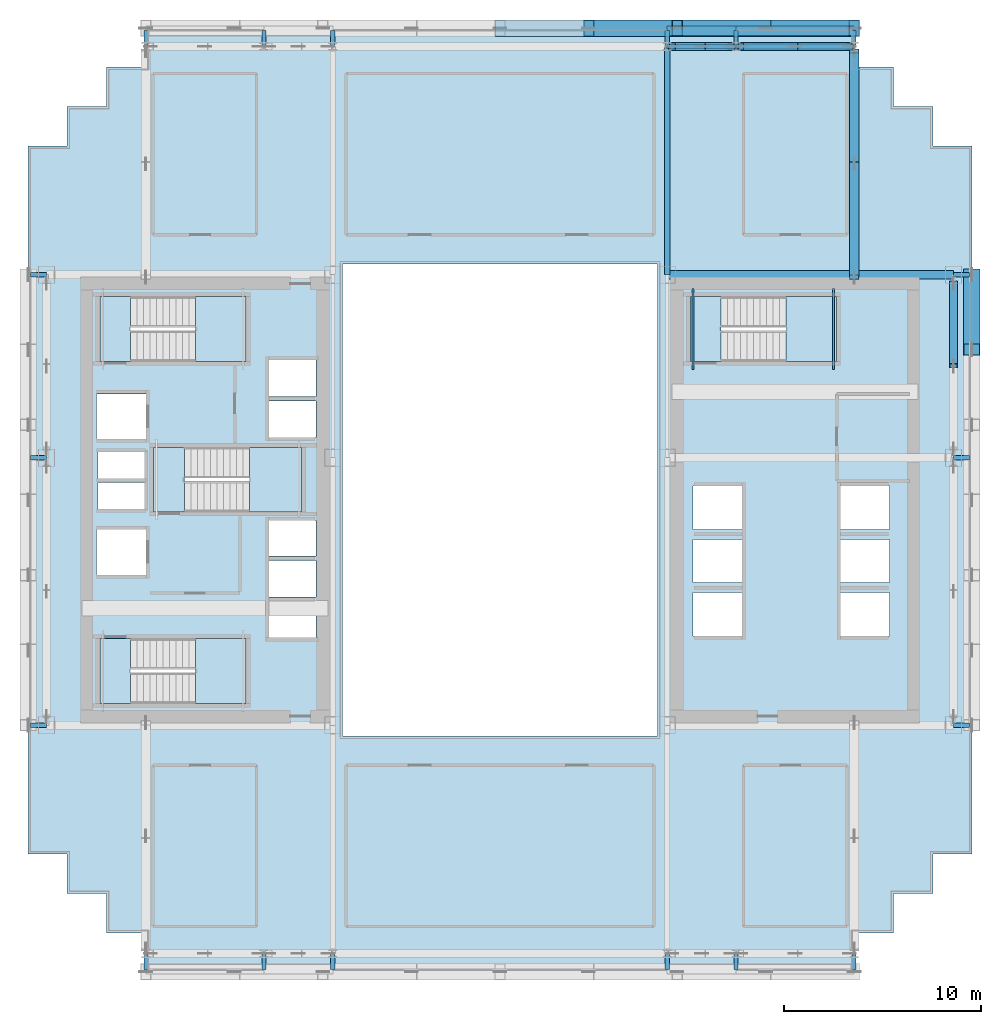
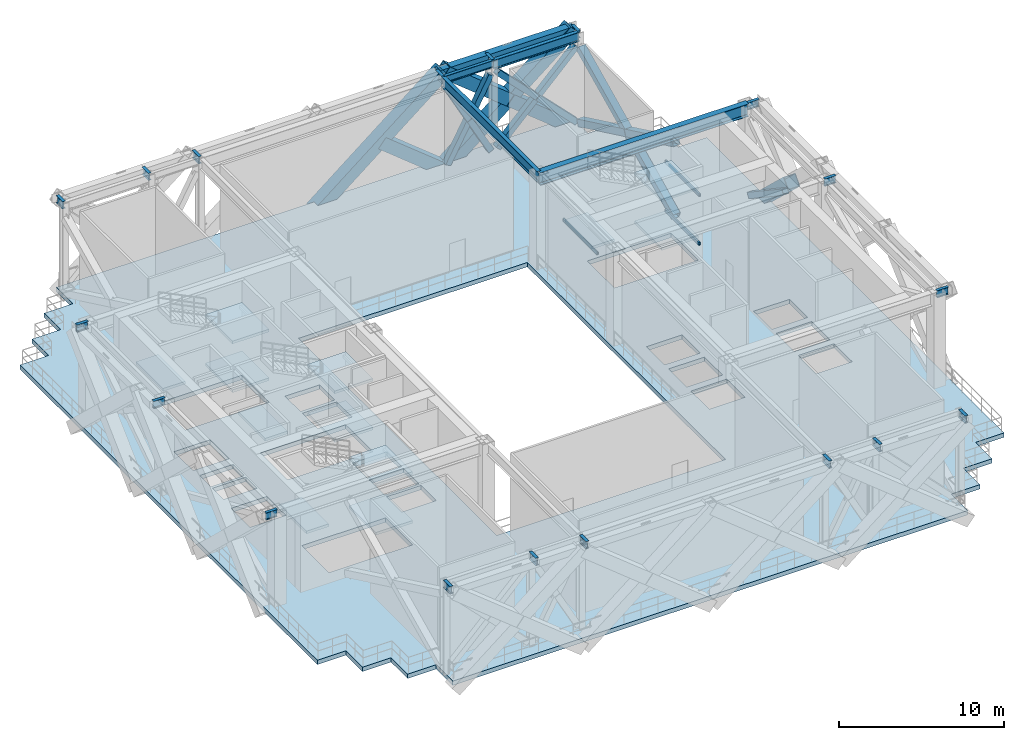
# One storey, part 3 of 14: 27 beams, 16 members, 13 slabs, 4 elements without a shape of their own.
"""IFC4 building model written with IfcOpenShell, lengths in metres."""

import ifcopenshell
import ifcopenshell.guid

model = None  # the IFC model being written
_history = None  # IfcOwnerHistory: only IFC2X3 demands one
_inside = {}  # id of a spatial element -> (the spatial element, [elements in it])
_under = {}  # id of a project, library or spatial element -> (it, [spatial elements below it])
_declared = {}  # id of a project -> (the project, [libraries it declares])
_typed = {}  # id of a type object -> (the type object, [elements of that type])
_made_of = {}  # id of a material, layer set ... -> (it, [elements and type objects made of it])


def new_model(schema):
    """Start an empty IFC model of exactly this schema.

    Asked for "IFC4X3", IfcOpenShell would pick the latest addendum, in which some entities
    have other attributes; the version numbers below select the first issue.
    IFC2X3 requires an IfcOwnerHistory on every rooted entity: one is made here for all.
    """
    global model, _history
    if schema == "IFC4X3":
        model = ifcopenshell.file(schema_version=(4, 3, 0, 0))
    else:
        model = ifcopenshell.file(schema=schema)
    _inside.clear()
    _under.clear()
    _declared.clear()
    _typed.clear()
    _made_of.clear()
    _history = None
    if model.schema == "IFC2X3":
        org = make("IfcOrganization", Name="unknown")
        user = make(
            "IfcPersonAndOrganization",
            ThePerson=make("IfcPerson", FamilyName="unknown"),
            TheOrganization=org,
        )
        app = make(
            "IfcApplication",
            ApplicationDeveloper=org,
            Version="unknown",
            ApplicationFullName="unknown",
            ApplicationIdentifier="unknown",
        )
        _history = make(
            "IfcOwnerHistory",
            OwningUser=user,
            OwningApplication=app,
            ChangeAction="ADDED",
            CreationDate=0,
        )
    return model


def make(cls, **values):
    """One entity of the class cls with the attributes given. An attribute that is None is left unset."""
    return model.create_entity(
        cls, **{name: value for name, value in values.items() if value is not None}
    )


def rooted(cls, **values):
    """An entity with a GlobalId (a new one), such as an element, a storey or a relation."""
    return make(cls, GlobalId=ifcopenshell.guid.new(), OwnerHistory=_history, **values)


def si_unit(unit_type, name, prefix=None):
    """IfcSIUnit, for example si_unit("LENGTHUNIT", "METRE", prefix="MILLI")."""
    return make("IfcSIUnit", UnitType=unit_type, Prefix=prefix, Name=name)


def assignment(units):
    """IfcUnitAssignment: the units of a project."""
    return None if units is None else make("IfcUnitAssignment", Units=units)


def point(xyz):
    """IfcCartesianPoint."""
    return None if xyz is None else make("IfcCartesianPoint", Coordinates=xyz)


def direction(xyz):
    """IfcDirection."""
    return None if xyz is None else make("IfcDirection", DirectionRatios=xyz)


def frame(location, z_axis=None, x_axis=None):
    """IfcAxis2Placement3D, a coordinate frame: its origin and axes. An axis left out is left unset."""
    return make(
        "IfcAxis2Placement3D",
        Location=point(location),
        Axis=direction(z_axis),
        RefDirection=direction(x_axis),
    )


def frame_2d(location, x_axis=None):
    """IfcAxis2Placement2D, a coordinate frame in the plane: its origin and x axis."""
    return make(
        "IfcAxis2Placement2D", Location=point(location), RefDirection=direction(x_axis)
    )


def origin():
    """The frame at (0, 0, 0) with its axes left unset."""
    return frame((0.0, 0.0, 0.0))


def origin_2d():
    """The frame at (0, 0) in the plane with its x axis left unset."""
    return frame_2d((0.0, 0.0))


def place(relative_to, where):
    """IfcLocalPlacement: puts the frame where relative to a parent placement (None: the world)."""
    return make(
        "IfcLocalPlacement", PlacementRelTo=relative_to, RelativePlacement=where
    )


def context(
    kind, dimensions, precision=None, world=None, true_north=None, identifier=None
):
    """IfcGeometricRepresentationContext, for example the 3D "Model" context."""
    return make(
        "IfcGeometricRepresentationContext",
        ContextIdentifier=identifier,
        ContextType=kind,
        CoordinateSpaceDimension=dimensions,
        Precision=precision,
        WorldCoordinateSystem=world,
        TrueNorth=true_north,
    )


def subcontext(parent, identifier, kind, view, scale=None):
    """IfcGeometricRepresentationSubContext, for example "Body" below "Model"."""
    return make(
        "IfcGeometricRepresentationSubContext",
        ContextIdentifier=identifier,
        ContextType=kind,
        ParentContext=parent,
        TargetScale=scale,
        TargetView=view,
    )


def project(units=None, contexts=None):
    """IfcProject with its units and contexts."""
    return rooted(
        "IfcProject",
        Name="project",
        RepresentationContexts=contexts,
        UnitsInContext=assignment(units),
    )


def spatial(cls, under=None, at=None, **own):
    """A site, building, storey or space (cls), placed at a placement, below another one or the project."""
    s = rooted(cls, ObjectPlacement=at, **own)
    if under is not None:
        _under.setdefault(under.id(), (under, []))[1].append(s)
    return s


def polyline(points):
    """IfcPolyline through the points."""
    return make("IfcPolyline", Points=[point(p) for p in points])


def profile(cls, at=None, kind="AREA", **sizes):
    """A parametric profile (cls). Its sizes go by their IFC names, for example OverallWidth=200.0."""
    return make(cls, ProfileType=kind, Position=at, **sizes)


def hollow_rectangle(**sizes):
    """IfcRectangleHollowProfileDef."""
    return profile("IfcRectangleHollowProfileDef", **sizes)


def i_section(**sizes):
    """IfcIShapeProfileDef."""
    return profile("IfcIShapeProfileDef", **sizes)


def outline(outer, holes=None, kind="AREA"):
    """IfcArbitraryClosedProfileDef: a profile drawn as a closed curve; with holes, ...WithVoids."""
    if holes is None:
        return make("IfcArbitraryClosedProfileDef", ProfileType=kind, OuterCurve=outer)
    return make(
        "IfcArbitraryProfileDefWithVoids",
        ProfileType=kind,
        OuterCurve=outer,
        InnerCurves=holes,
    )


def extrude(swept, where, along, depth):
    """IfcExtrudedAreaSolid: the profile swept, set in the frame where, extruded along a direction by depth."""
    return make(
        "IfcExtrudedAreaSolid",
        SweptArea=swept,
        Position=where,
        ExtrudedDirection=direction(along),
        Depth=depth,
    )


def shape(context_of_items, identifier, shape_type, items):
    """IfcShapeRepresentation: the items that make up one representation, for example the "Body"."""
    return make(
        "IfcShapeRepresentation",
        ContextOfItems=context_of_items,
        RepresentationIdentifier=identifier,
        RepresentationType=shape_type,
        Items=items,
    )


def source(mapping_origin, context_of_items, identifier, shape_type, items):
    """IfcRepresentationMap: a shape defined once, which mapped items show again and again."""
    return make(
        "IfcRepresentationMap",
        MappingOrigin=mapping_origin,
        MappedRepresentation=shape(context_of_items, identifier, shape_type, items),
    )


def transform(
    local_origin,
    x_axis=None,
    y_axis=None,
    z_axis=None,
    scale=None,
    scale2=None,
    scale3=None,
    uniform=True,
):
    """IfcCartesianTransformationOperator3D, or its non-uniform kind. x_axis, y_axis, z_axis: its Axis1, 2, 3."""
    if uniform:
        return make(
            "IfcCartesianTransformationOperator3D",
            Axis1=direction(x_axis),
            Axis2=direction(y_axis),
            LocalOrigin=point(local_origin),
            Scale=scale,
            Axis3=direction(z_axis),
        )
    return make(
        "IfcCartesianTransformationOperator3DnonUniform",
        Axis1=direction(x_axis),
        Axis2=direction(y_axis),
        LocalOrigin=point(local_origin),
        Scale=scale,
        Axis3=direction(z_axis),
        Scale2=scale2,
        Scale3=scale3,
    )


def mapped(mapping_source, mapping_target):
    """IfcMappedItem: shows the shape of a source again, moved by a transform."""
    return make(
        "IfcMappedItem", MappingSource=mapping_source, MappingTarget=mapping_target
    )


def material(Name=None, Category=None):
    """IfcMaterial."""
    return make("IfcMaterial", Name=Name, Category=Category)


def layer(
    of_material, thickness, ventilated=None, Name=None, Category=None, Priority=None
):
    """IfcMaterialLayer: one layer of a wall or slab, of a material (None: an air gap)."""
    return make(
        "IfcMaterialLayer",
        Material=of_material,
        LayerThickness=thickness,
        IsVentilated=ventilated,
        Name=Name,
        Category=Category,
        Priority=Priority,
    )


def layer_set(layers, Name=None):
    """IfcMaterialLayerSet."""
    return make("IfcMaterialLayerSet", MaterialLayers=layers, LayerSetName=Name)


def material_profile(
    of_material, cross_section, Name=None, Category=None, Priority=None
):
    """IfcMaterialProfile: a cross section and its material."""
    return make(
        "IfcMaterialProfile",
        Name=Name,
        Material=of_material,
        Profile=cross_section,
        Priority=Priority,
        Category=Category,
    )


def profile_set(profiles, Name=None, composite=None):
    """IfcMaterialProfileSet."""
    return make(
        "IfcMaterialProfileSet",
        Name=Name,
        MaterialProfiles=profiles,
        CompositeProfile=composite,
    )


def made_of(thing, what):
    """Note that an element or type object is made of a material, layer set ...; save() writes the relation."""
    if what is not None:
        _made_of.setdefault(what.id(), (what, []))[1].append(thing)
    return thing


def type_object(cls, material=None, **own):
    """A type object (cls), such as IfcWallType, which elements share."""
    return made_of(rooted(cls, **own), material)


def element(
    cls,
    number,
    at=None,
    inside=None,
    cuts=None,
    type_object=None,
    material=None,
    context=None,
    identifier="Body",
    shape_type=None,
    held_by="IfcProductDefinitionShape",
    body=None,
    shapes=None,
    **own,
):
    """One element of the class cls, such as IfcWall. Its Tag is "e" and its number.

    at: its placement. inside: the storey or other place that contains it. cuts: it is an
    opening in that element (IfcRelVoidsElement). A single representation is given by context,
    identifier, shape_type and body (its items); several are given by shapes. held_by: the class
    of the entity that holds the representations. save() writes the other relations.
    """
    e = rooted(cls, Tag="e%d" % number, ObjectPlacement=at, **own)
    if body is not None:
        shapes = [shape(context, identifier, shape_type, body)]
    if shapes is not None:
        e.Representation = make(held_by, Representations=shapes)
    if inside is not None:
        _inside.setdefault(inside.id(), (inside, []))[1].append(e)
    if cuts is not None:
        rooted(
            "IfcRelVoidsElement", RelatingBuildingElement=cuts, RelatedOpeningElement=e
        )
    if type_object is not None:
        _typed.setdefault(type_object.id(), (type_object, []))[1].append(e)
    return made_of(e, material)


def aggregate(whole, parts):
    """IfcRelAggregates: a whole, such as a stair, and the parts it consists of."""
    return rooted("IfcRelAggregates", RelatingObject=whole, RelatedObjects=parts)


def save(model, path):
    """Write the relations noted so far, then the file.

    IfcRelAggregates (storeys below a building ...), IfcRelContainedInSpatialStructure (elements
    in a storey), IfcRelDefinesByType, IfcRelAssociatesMaterial and IfcRelDeclares: one each for
    every whole, place, type object, material and project.
    """
    for whole, parts in _under.values():
        aggregate(whole, parts)
    for where, things in _inside.values():
        rooted(
            "IfcRelContainedInSpatialStructure",
            RelatedElements=things,
            RelatingStructure=where,
        )
    for kind, things in _typed.values():
        rooted("IfcRelDefinesByType", RelatedObjects=things, RelatingType=kind)
    for what, things in _made_of.values():
        rooted("IfcRelAssociatesMaterial", RelatedObjects=things, RelatingMaterial=what)
    for by, libraries in _declared.values():
        rooted("IfcRelDeclares", RelatingContext=by, RelatedDefinitions=libraries)
    model.write(path)


model = new_model("IFC4")

# Units and contexts
model_context = context("Model", 3, precision=1e-05, world=origin(), true_north=direction((0.0, 1.0)))
body_context = subcontext(model_context, "Body", "Model", "MODEL_VIEW")
ifc_project = project(units=[si_unit("LENGTHUNIT", "METRE"), si_unit("AREAUNIT", "SQUARE_METRE"), si_unit("VOLUMEUNIT", "CUBIC_METRE"), si_unit("PLANEANGLEUNIT", "RADIAN"), si_unit("MASSUNIT", "GRAM", prefix="KILO")], contexts=[model_context])

# Site, building, storey
site_placement = place(None, origin())
site = spatial("IfcSite", under=ifc_project, at=site_placement, CompositionType="ELEMENT")
building_placement = place(site_placement, origin())
building = spatial("IfcBuilding", under=site, at=building_placement, Name="Ocotamira Hotel", CompositionType="ELEMENT")
storey_placement = place(building_placement, frame((0.0, 0.0, 85.199951171875)))
storey = spatial("IfcBuildingStorey", under=building, at=storey_placement, Name="L21", CompositionType="ELEMENT", Elevation=85.199951171875)

# Beams
ifc_material_1 = material(Name="Steel ASTM A500 Grade C", Category="steel")
ifc_material_profile_1 = material_profile(ifc_material_1, hollow_rectangle(XDim=0.10009765625, YDim=0.199951171875, WallThickness=0.008056640625, at=origin_2d()), Name="HSS200X100X8")
ifc_profile_set_1 = profile_set([ifc_material_profile_1], Name="Steel ASTM A500 Grade C")
beam_type_1 = type_object("IfcBeamType", Name="BM-STLDG-HSS200", PredefinedType="BEAM", material=ifc_profile_set_1)
shared_shape_1 = source(origin(), body_context, "Body", "SweptSolid", [
    extrude(hollow_rectangle(XDim=0.10009765625, YDim=0.199951171875, WallThickness=0.008056640625, at=origin_2d()), origin(), (0.0, 0.0, 1.0), 4.1201171875),
])
for number, where, z_axis, x_axis, name in (
    (1, (48.949951171875, 32.6298828125, 1.5), (0.0, 1.0, 0.0), (-1.0, 0.0, 0.0), "L21 Stair ST-4 Landing Bearer 1"),
    (2, (41.81005859375, 32.6298828125, 3.300048828125), (0.0, 1.0, 0.0), (-1.0, 0.0, 0.0), "L21 Stair ST-4 Landing Bearer 2"),
    (3, (48.949951171875, 32.6298828125, 5.10009765625), (0.0, 1.0, 0.0), (-1.0, 0.0, 0.0), "L21 Stair ST-4 Landing Bearer 3"),
):
    element("IfcBeam", number, at=place(storey_placement, frame(where, z_axis=z_axis, x_axis=x_axis)), inside=storey, type_object=beam_type_1, Name=name, PredefinedType="BEAM", context=body_context, shape_type="MappedRepresentation", body=[
        mapped(shared_shape_1, transform((0.0, 0.0, 0.0), scale=1.0)),
    ])
ifc_material_2 = material(Name="Steel ASTM A992 Grade 50", Category="steel")
ifc_material_profile_2 = material_profile(ifc_material_2, i_section(OverallWidth=0.41796875, OverallDepth=0.927001953125, WebThickness=0.019287109375, FlangeThickness=0.031982421875, FilletRadius=0.02392578125, at=origin_2d()), Name="W36X231")
ifc_profile_set_2 = profile_set([ifc_material_profile_2], Name="Steel ASTM A992 Grade 50")
beam_type_2 = type_object("IfcBeamType", Name="BM-GIRD-W36X231", PredefinedType="BEAM", material=ifc_profile_set_2)
shared_shape_2 = source(origin(), body_context, "Body", "SweptSolid", [
    extrude(i_section(OverallWidth=0.41796875, OverallDepth=0.927001953125, WebThickness=0.019287109375, FlangeThickness=0.031982421875, FilletRadius=0.02392578125, at=origin_2d()), origin(), (0.0, 0.0, 1.0), 14.550048828125),
])
beam_1_placement = place(storey_placement, frame((40.5, 37.449951171875, 6.45654296875), z_axis=(1.0, 0.0, 0.0), x_axis=(0.0, 1.0, 0.0)))
element("IfcBeam", 4, at=beam_1_placement, inside=storey, type_object=beam_type_2, Name="L21 Girder Y37.45 X40.5-55.05", PredefinedType="BEAM", context=body_context, shape_type="MappedRepresentation", body=[
    mapped(shared_shape_2, transform((0.0, 0.0, 0.0), scale=1.0)),
])
ifc_material_profile_3 = material_profile(ifc_material_2, i_section(OverallWidth=0.256103515625, OverallDepth=0.693115234375, WebThickness=0.014404296875, FlangeThickness=0.023681640625, FilletRadius=0.01611328125, at=origin_2d()), Name="W27X114")
ifc_profile_set_3 = profile_set([ifc_material_profile_3], Name="Steel ASTM A992 Grade 50")
beam_type_3 = type_object("IfcBeamType", Name="BM-PRIM-W27X114", PredefinedType="BEAM", material=ifc_profile_set_3)
shared_shape_3 = source(origin(), body_context, "Body", "SweptSolid", [
    extrude(i_section(OverallWidth=0.256103515625, OverallDepth=0.693115234375, WebThickness=0.014404296875, FlangeThickness=0.023681640625, FilletRadius=0.01611328125, at=origin_2d()), origin(), (0.0, 0.0, 1.0), 6.0),
])
beam_2_placement = place(storey_placement, frame((44.0, 49.050048828125, 6.573486328125), z_axis=(1.0, 0.0, 0.0), x_axis=(0.0, 1.0, 0.0)))
element("IfcBeam", 5, at=beam_2_placement, inside=storey, type_object=beam_type_3, Name="L21 Girder Y49.05 X44-50", PredefinedType="BEAM", context=body_context, shape_type="MappedRepresentation", body=[
    mapped(shared_shape_3, transform((0.0, 0.0, 0.0), scale=1.0)),
])
ifc_material_profile_4 = material_profile(ifc_material_2, i_section(OverallWidth=0.2099609375, OverallDepth=0.537109375, WebThickness=0.010986328125, FlangeThickness=0.017333984375, FilletRadius=0.012939453125, at=origin_2d()), Name="W21X68")
ifc_profile_set_4 = profile_set([ifc_material_profile_4], Name="Steel ASTM A992 Grade 50")
beam_type_4 = type_object("IfcBeamType", Name="BM-SEC-W21X68", PredefinedType="JOIST", material=ifc_profile_set_4)
shared_shape_4 = source(origin(), body_context, "Body", "SweptSolid", [
    extrude(i_section(OverallWidth=0.2099609375, OverallDepth=0.537109375, WebThickness=0.010986328125, FlangeThickness=0.017333984375, FilletRadius=0.012939453125, at=origin_2d()), origin(), (0.0, 0.0, 1.0), 3.5),
])
beam_3_placement = place(storey_placement, frame((40.5, 49.050048828125, 6.651611328125), z_axis=(1.0, 0.0, 0.0), x_axis=(0.0, 1.0, 0.0)))
element("IfcBeam", 6, at=beam_3_placement, inside=storey, type_object=beam_type_4, Name="L21 Girder Y49.05 X40.5-44", PredefinedType="JOIST", context=body_context, shape_type="MappedRepresentation", body=[
    mapped(shared_shape_4, transform((0.0, 0.0, 0.0), scale=1.0)),
])
ifc_material_profile_5 = material_profile(ifc_material_2, i_section(OverallWidth=0.26611328125, OverallDepth=0.779052734375, WebThickness=0.0166015625, FlangeThickness=0.030029296875, FilletRadius=0.01806640625, at=origin_2d()), Name="W30X148")
ifc_profile_set_5 = profile_set([ifc_material_profile_5], Name="Steel ASTM A992 Grade 50")
beam_type_5 = type_object("IfcBeamType", Name="BM-GIRD-W30X148", PredefinedType="BEAM", material=ifc_profile_set_5)
shared_shape_5 = source(origin(), body_context, "Body", "SweptSolid", [
    extrude(i_section(OverallWidth=0.26611328125, OverallDepth=0.779052734375, WebThickness=0.0166015625, FlangeThickness=0.030029296875, FilletRadius=0.01806640625, at=origin_2d()), origin(), (0.0, 0.0, 1.0), 11.60009765625),
])
beam_4_placement = place(storey_placement, frame((40.5, 37.449951171875, 6.530517578125), z_axis=(0.0, 1.0, 0.0), x_axis=(-1.0, 0.0, 0.0)))
element("IfcBeam", 7, at=beam_4_placement, inside=storey, type_object=beam_type_5, Name="L21 Beam X40.5 Y37.45-49.05", PredefinedType="BEAM", context=body_context, shape_type="MappedRepresentation", body=[
    mapped(shared_shape_5, transform((0.0, 0.0, 0.0), scale=1.0)),
])
shared_shape_6 = source(origin(), body_context, "Body", "SweptSolid", [
    extrude(i_section(OverallWidth=0.2099609375, OverallDepth=0.537109375, WebThickness=0.010986328125, FlangeThickness=0.017333984375, FilletRadius=0.012939453125, at=origin_2d()), origin(), (0.0, 0.0, 1.0), 0.800048828125),
])
for number, where, z_axis, x_axis, name in (
    (8, (14.0, 2.949951171875, 6.651611328125), (0.0, -1.0, 0.0), (1.0, 0.0, 0.0), "L21 South Edge Header X14"),
    (9, (14.0, 49.050048828125, 6.651611328125), (0.0, 1.0, 0.0), (-1.0, 0.0, 0.0), "L21 North Edge Header X14"),
    (10, (20.0, 2.949951171875, 6.651611328125), (0.0, -1.0, 0.0), (1.0, 0.0, 0.0), "L21 South Edge Header X20"),
    (11, (20.0, 49.050048828125, 6.651611328125), (0.0, 1.0, 0.0), (-1.0, 0.0, 0.0), "L21 North Edge Header X20"),
    (12, (23.5, 2.949951171875, 6.651611328125), (0.0, -1.0, 0.0), (1.0, 0.0, 0.0), "L21 South Edge Header X23.5"),
    (13, (23.5, 49.050048828125, 6.651611328125), (0.0, 1.0, 0.0), (-1.0, 0.0, 0.0), "L21 North Edge Header X23.5"),
    (14, (40.5, 2.949951171875, 6.651611328125), (0.0, -1.0, 0.0), (1.0, 0.0, 0.0), "L21 South Edge Header X40.5"),
    (15, (40.5, 49.050048828125, 6.651611328125), (0.0, 1.0, 0.0), (-1.0, 0.0, 0.0), "L21 North Edge Header X40.5"),
    (16, (44.0, 2.949951171875, 6.651611328125), (0.0, -1.0, 0.0), (1.0, 0.0, 0.0), "L21 South Edge Header X44"),
    (17, (44.0, 49.050048828125, 6.651611328125), (0.0, 1.0, 0.0), (-1.0, 0.0, 0.0), "L21 North Edge Header X44"),
    (18, (50.0, 2.949951171875, 6.651611328125), (0.0, -1.0, 0.0), (1.0, 0.0, 0.0), "L21 South Edge Header X50"),
    (19, (50.0, 49.050048828125, 6.651611328125), (0.0, 1.0, 0.0), (-1.0, 0.0, 0.0), "L21 North Edge Header X50"),
    (20, (8.949951171875, 14.550048828125, 6.651611328125), (-1.0, 0.0, 0.0), (0.0, -1.0, 0.0), "L21 West Edge Header Y14.55"),
    (21, (55.050048828125, 14.550048828125, 6.651611328125), (1.0, 0.0, 0.0), (0.0, 1.0, 0.0), "L21 East Edge Header Y14.55"),
    (22, (8.949951171875, 28.14990234375, 6.651611328125), (-1.0, 0.0, 0.0), (0.0, -1.0, 0.0), "L21 West Edge Header Y28.15"),
    (23, (55.050048828125, 28.14990234375, 6.651611328125), (1.0, 0.0, 0.0), (0.0, 1.0, 0.0), "L21 East Edge Header Y28.15"),
    (24, (8.949951171875, 37.449951171875, 6.651611328125), (-1.0, 0.0, 0.0), (0.0, -1.0, 0.0), "L21 West Edge Header Y37.45"),
    (25, (55.050048828125, 37.449951171875, 6.651611328125), (1.0, 0.0, 0.0), (0.0, 1.0, 0.0), "L21 East Edge Header Y37.45"),
):
    element("IfcBeam", number, at=place(storey_placement, frame(where, z_axis=z_axis, x_axis=x_axis)), inside=storey, type_object=beam_type_4, Name=name, PredefinedType="JOIST", context=body_context, shape_type="MappedRepresentation", body=[
        mapped(shared_shape_6, transform((0.0, 0.0, 0.0), scale=1.0)),
    ])
ifc_material_profile_6 = material_profile(ifc_material_1, hollow_rectangle(XDim=0.5, YDim=0.5, WallThickness=0.02001953125, at=origin_2d()), Name="HSS500X500X20")
ifc_profile_set_6 = profile_set([ifc_material_profile_6], Name="Steel ASTM A500 Grade C")
beam_type_6 = type_object("IfcBeamType", Name="BM-SPAN-HSS500", PredefinedType="USERDEFINED", material=ifc_profile_set_6)
shared_shape_7 = source(origin(), body_context, "Body", "SweptSolid", [
    extrude(hollow_rectangle(XDim=0.5, YDim=0.5, WallThickness=0.02001953125, at=origin_2d()), origin(), (0.0, 0.0, 1.0), 6.0),
])
beam_5_placement = place(storey_placement, frame((44.0, 49.85009765625, 6.670166015625), z_axis=(1.0, 0.0, 0.0), x_axis=(0.0, 1.0, 0.0)))
element("IfcBeam", 26, at=beam_5_placement, inside=storey, type_object=beam_type_6, Name="L21 Edge Spandrel N X44-50", ObjectType="SPANDREL", PredefinedType="USERDEFINED", context=body_context, shape_type="MappedRepresentation", body=[
    mapped(shared_shape_7, transform((0.0, 0.0, 0.0), scale=1.0)),
])
shared_shape_8 = source(origin(), body_context, "Body", "SweptSolid", [
    extrude(hollow_rectangle(XDim=0.5, YDim=0.5, WallThickness=0.02001953125, at=origin_2d()), origin(), (0.0, 0.0, 1.0), 3.5),
])
beam_6_placement = place(storey_placement, frame((40.5, 49.85009765625, 6.670166015625), z_axis=(1.0, 0.0, 0.0), x_axis=(0.0, 1.0, 0.0)))
element("IfcBeam", 27, at=beam_6_placement, inside=storey, type_object=beam_type_6, Name="L21 Edge Spandrel N X40.5-44", ObjectType="SPANDREL", PredefinedType="USERDEFINED", context=body_context, shape_type="MappedRepresentation", body=[
    mapped(shared_shape_8, transform((0.0, 0.0, 0.0), scale=1.0)),
])

# Members
ifc_material_3 = material(Name="Steel ASTM A913 Grade 65", Category="steel")
ifc_material_profile_7 = material_profile(ifc_material_3, hollow_rectangle(XDim=0.5, YDim=0.5, WallThickness=0.02001953125, at=origin_2d()), Name="HSS500X500X20")
ifc_profile_set_7 = profile_set([ifc_material_profile_7], Name="Steel ASTM A913 Grade 65")
member_type_1 = type_object("IfcMemberType", Name="MEM-OUT-HSS500", PredefinedType="BRACE", material=ifc_profile_set_7)
shared_shape_9 = source(origin(), body_context, "Body", "SweptSolid", [
    extrude(hollow_rectangle(XDim=0.5, YDim=0.5, WallThickness=0.02001953125, at=origin_2d()), origin(), (0.0, 0.0, 1.0), 12.73876953125),
])
member_1_placement = place(storey_placement, frame((50.0, 37.324951171875, 0.35009765625), z_axis=(0.0, 0.902368580511, 0.430965131891), x_axis=(-1.0, 0.0, 0.0)))
element("IfcMember", 28, at=member_1_placement, inside=storey, type_object=member_type_1, Name="L21 Outrigger Truss N X50 A", PredefinedType="BRACE", context=body_context, shape_type="MappedRepresentation", body=[
    mapped(shared_shape_9, transform((0.0, 0.0, 0.0), scale=1.0)),
])
shared_shape_10 = source(origin(), body_context, "Body", "SweptSolid", [
    extrude(hollow_rectangle(XDim=0.5, YDim=0.5, WallThickness=0.02001953125, at=origin_2d()), origin(), (0.0, 0.0, 1.0), 6.349365234375),
])
for number, where, z_axis, x_axis, name in (
    (29, (50.0, 37.324951171875, 5.840087890625), (0.0, 0.90237094461, -0.43096018183), (-1.0, 0.0, 0.0), "L21 Outrigger Truss N X50 B Lower Half"),
    (30, (50.0, 43.090576171875, 3.08642578125), (0.0, 0.90237094461, -0.43096018183), (-1.0, 0.0, 0.0), "L21 Outrigger Truss N X50 B Upper Half"),
):
    element("IfcMember", number, at=place(storey_placement, frame(where, z_axis=z_axis, x_axis=x_axis)), inside=storey, type_object=member_type_1, Name=name, PredefinedType="BRACE", context=body_context, shape_type="MappedRepresentation", body=[
        mapped(shared_shape_10, transform((0.0, 0.0, 0.0), scale=1.0)),
    ])
ifc_material_profile_8 = material_profile(ifc_material_3, hollow_rectangle(XDim=0.39990234375, YDim=0.39990234375, WallThickness=0.01611328125, at=origin_2d()), Name="HSS400X400X16")
ifc_profile_set_8 = profile_set([ifc_material_profile_8], Name="Steel ASTM A913 Grade 65")
member_type_2 = type_object("IfcMemberType", Name="MEM-BELT-HSS400", PredefinedType="BRACE", material=ifc_profile_set_8)
shared_shape_11 = source(origin(), body_context, "Body", "SweptSolid", [
    extrude(hollow_rectangle(XDim=0.39990234375, YDim=0.39990234375, WallThickness=0.01611328125, at=origin_2d()), origin(), (0.0, 0.0, 1.0), 7.870361328125),
])
member_2_placement = place(storey_placement, frame((44.239990234375, 49.050048828125, 0.35009765625), z_axis=(0.701375952143, 0.0, 0.712791535973), x_axis=(0.0, 1.0, 0.0)))
element("IfcMember", 31, at=member_2_placement, inside=storey, type_object=member_type_2, Name="L21 Belt Truss Diagonal 44,49.05 A", PredefinedType="BRACE", context=body_context, shape_type="MappedRepresentation", body=[
    mapped(shared_shape_11, transform((0.0, 0.0, 0.0), scale=1.0)),
])
shared_shape_12 = source(origin(), body_context, "Body", "SweptSolid", [
    extrude(hollow_rectangle(XDim=0.39990234375, YDim=0.39990234375, WallThickness=0.01611328125, at=origin_2d()), origin(), (0.0, 0.0, 1.0), 3.915283203125),
])
for number, where, z_axis, x_axis, name in (
    (32, (44.239990234375, 49.050048828125, 5.9599609375), (0.70137820504, 0.0, -0.712789319151), (0.0, 1.0, 0.0), "L21 Belt Truss Diagonal 44,49.05 B Lower Half"),
    (33, (47.013916015625, 49.050048828125, 3.140869140625), (0.70137820504, 0.0, -0.712789319151), (0.0, 1.0, 0.0), "L21 Belt Truss Diagonal 44,49.05 B Upper Half"),
):
    element("IfcMember", number, at=place(storey_placement, frame(where, z_axis=z_axis, x_axis=x_axis)), inside=storey, type_object=member_type_2, Name=name, PredefinedType="BRACE", context=body_context, shape_type="MappedRepresentation", body=[
        mapped(shared_shape_12, transform((0.0, 0.0, 0.0), scale=1.0)),
    ])
shared_shape_13 = source(origin(), body_context, "Body", "SweptSolid", [
    extrude(hollow_rectangle(XDim=0.39990234375, YDim=0.39990234375, WallThickness=0.01611328125, at=origin_2d()), origin(), (0.0, 0.0, 1.0), 6.37109375),
])
member_3_placement = place(storey_placement, frame((40.739990234375, 49.050048828125, 0.35009765625), z_axis=(0.474017556158, 0.0, 0.880515392514), x_axis=(0.0, 1.0, 0.0)))
element("IfcMember", 34, at=member_3_placement, inside=storey, type_object=member_type_2, Name="L21 Belt Truss Diagonal 40.5,49.05 A", PredefinedType="BRACE", context=body_context, shape_type="MappedRepresentation", body=[
    mapped(shared_shape_13, transform((0.0, 0.0, 0.0), scale=1.0)),
])
shared_shape_14 = source(origin(), body_context, "Body", "SweptSolid", [
    extrude(hollow_rectangle(XDim=0.39990234375, YDim=0.39990234375, WallThickness=0.01611328125, at=origin_2d()), origin(), (0.0, 0.0, 1.0), 3.16552734375),
])
for number, where, z_axis, x_axis, name in (
    (35, (40.739990234375, 49.050048828125, 5.9599609375), (0.474003238469, 0.0, -0.880523100163), (0.0, 1.0, 0.0), "L21 Belt Truss Diagonal 40.5,49.05 B Lower Half"),
    (36, (42.259521484375, 49.050048828125, 3.137451171875), (0.474003238469, 0.0, -0.880523100163), (0.0, 1.0, 0.0), "L21 Belt Truss Diagonal 40.5,49.05 B Upper Half"),
):
    element("IfcMember", number, at=place(storey_placement, frame(where, z_axis=z_axis, x_axis=x_axis)), inside=storey, type_object=member_type_2, Name=name, PredefinedType="BRACE", context=body_context, shape_type="MappedRepresentation", body=[
        mapped(shared_shape_14, transform((0.0, 0.0, 0.0), scale=1.0)),
    ])
shared_shape_15 = source(origin(), body_context, "Body", "SweptSolid", [
    extrude(hollow_rectangle(XDim=0.39990234375, YDim=0.39990234375, WallThickness=0.01611328125, at=origin_2d()), origin(), (0.0, 0.0, 1.0), 5.038818359375),
])
member_4_placement = place(storey_placement, frame((55.050048828125, 32.816650390625, 3.14404296875), z_axis=(0.0, 0.832199345178, -0.554476554857), x_axis=(-1.0, 0.0, 0.0)))
element("IfcMember", 37, at=member_4_placement, inside=storey, type_object=member_type_2, Name="L21 Belt Truss Diagonal 55.05,28.15 B Upper Half", PredefinedType="BRACE", context=body_context, shape_type="MappedRepresentation", body=[
    mapped(shared_shape_15, transform((0.0, 0.0, 0.0), scale=1.0)),
])
ifc_material_4 = material(Name="Pale-metal coated steel ASTM A913 Grade 65", Category="steel")
ifc_material_profile_9 = material_profile(ifc_material_4, hollow_rectangle(XDim=0.85009765625, YDim=0.85009765625, WallThickness=0.035888671875, at=origin_2d()), Name="BOX850X850X36")
ifc_profile_set_9 = profile_set([ifc_material_profile_9], Name="Pale-metal coated steel ASTM A913 Grade 65")
member_type_3 = type_object("IfcMemberType", Name="MEM-EXO-BOX850", PredefinedType="BRACE", material=ifc_profile_set_9)
shared_shape_16 = source(origin(), body_context, "Body", "SweptSolid", [
    extrude(hollow_rectangle(XDim=0.85009765625, YDim=0.85009765625, WallThickness=0.035888671875, at=origin_2d()), origin(), (0.0, 0.0, 1.0), 11.55078125),
])
for number, where, z_axis, x_axis, name in (
    (38, (32.0, 49.969970703125, -0.570068359375), (0.779166772516, 0.0, 0.626816672247), (0.0, 1.0, 0.0), "L21 Exoskeleton Diagrid N2.1"),
    (39, (41.0, 49.969970703125, -0.570068359375), (0.779166772516, 0.0, 0.626816672247), (0.0, 1.0, 0.0), "L21 Exoskeleton Diagrid N3.1"),
):
    element("IfcMember", number, at=place(storey_placement, frame(where, z_axis=z_axis, x_axis=x_axis)), inside=storey, type_object=member_type_3, Name=name, PredefinedType="BRACE", context=body_context, shape_type="MappedRepresentation", body=[
        mapped(shared_shape_16, transform((0.0, 0.0, 0.0), scale=1.0)),
    ])
shared_shape_17 = source(origin(), body_context, "Body", "SweptSolid", [
    extrude(hollow_rectangle(XDim=0.85009765625, YDim=0.85009765625, WallThickness=0.035888671875, at=origin_2d()), origin(), (0.0, 0.0, 1.0), 5.75537109375),
])
for number, where, z_axis, x_axis, name in (
    (40, (41.0, 49.969970703125, -0.570068359375), (-0.779156701488, 0.0, 0.626829190869), (0.0, -1.0, 0.0), "L21 Exoskeleton Diagrid N2.2 Lower Half"),
    (41, (50.0, 49.969970703125, -0.570068359375), (-0.779156701488, 0.0, 0.626829190869), (0.0, -1.0, 0.0), "L21 Exoskeleton Diagrid N3.2 Lower Half"),
    (42, (45.484375, 49.969970703125, 3.0625), (-0.779156701488, 0.0, 0.626829190869), (0.0, -1.0, 0.0), "L21 Exoskeleton Diagrid N3.2 Upper Half"),
):
    element("IfcMember", number, at=place(storey_placement, frame(where, z_axis=z_axis, x_axis=x_axis)), inside=storey, type_object=member_type_3, Name=name, PredefinedType="BRACE", context=body_context, shape_type="MappedRepresentation", body=[
        mapped(shared_shape_17, transform((0.0, 0.0, 0.0), scale=1.0)),
    ])
shared_shape_18 = source(origin(), body_context, "Body", "SweptSolid", [
    extrude(hollow_rectangle(XDim=0.85009765625, YDim=0.85009765625, WallThickness=0.035888671875, at=origin_2d()), origin(), (0.0, 0.0, 1.0), 5.240478515625),
])
member_5_placement = place(storey_placement, frame((55.969970703125, 37.449951171875, -0.570068359375), z_axis=(0.0, -0.725519166826, 0.688201960596), x_axis=(1.0, 0.0, 0.0)))
element("IfcMember", 43, at=member_5_placement, inside=storey, type_object=member_type_3, Name="L21 Exoskeleton Diagrid E2.2 Lower Half", PredefinedType="BRACE", context=body_context, shape_type="MappedRepresentation", body=[
    mapped(shared_shape_18, transform((0.0, 0.0, 0.0), scale=1.0)),
])

# Slab
ifc_material_5 = material(Name="Concrete C40/50", Category="concrete")
ifc_layer_1 = layer(ifc_material_5, 0.320068359375)
ifc_layer_set_1 = layer_set([ifc_layer_1], Name="Concrete C40/50")
slab_type_1 = type_object("IfcSlabType", Name="SLB-HVY-320", PredefinedType="FLOOR", material=ifc_layer_set_1)
slab_1_placement = place(storey_placement, frame((0.0, 0.0, -0.320068359375)))
element("IfcSlab", 44, at=slab_1_placement, inside=storey, type_object=slab_type_1, Name="L21 Structural Floor Slab", PredefinedType="FLOOR", context=body_context, shape_type="SweptSolid", body=[
    extrude(outline(polyline([(14.0, 2.0), (50.0, 2.0), (50.0, 4.0), (52.0, 4.0), (52.0, 6.0), (54.0, 6.0), (54.0, 8.0), (56.0, 8.0), (56.0, 44.0), (54.0, 44.0), (54.0, 46.0), (52.0, 46.0), (52.0, 48.0), (50.0, 48.0), (50.0, 50.0), (14.0, 50.0), (14.0, 48.0), (12.0, 48.0), (12.0, 46.0), (10.0, 46.0), (10.0, 44.0), (8.0, 44.0), (8.0, 8.0), (10.0, 8.0), (10.0, 6.0), (12.0, 6.0), (12.0, 4.0), (14.0, 4.0), (14.0, 2.0)]), holes=[polyline([(24.0, 14.0), (40.0, 14.0), (40.0, 38.0), (24.0, 38.0), (24.0, 14.0)]), polyline([(13.22998046875, 15.669921875), (19.090087890625, 15.669921875), (19.090087890625, 18.949951171875), (13.22998046875, 18.949951171875), (13.22998046875, 15.669921875)]), polyline([(13.22998046875, 33.050048828125), (19.090087890625, 33.050048828125), (19.090087890625, 36.330078125), (13.22998046875, 36.330078125), (13.22998046875, 33.050048828125)]), polyline([(15.9599609375, 25.39990234375), (21.919921875, 25.39990234375), (21.919921875, 28.679931640625), (15.9599609375, 28.679931640625), (15.9599609375, 25.39990234375)]), polyline([(43.22998046875, 33.050048828125), (49.090087890625, 33.050048828125), (49.090087890625, 36.330078125), (43.22998046875, 36.330078125), (43.22998046875, 33.050048828125)]), polyline([(49.300048828125, 19.10009765625), (51.800048828125, 19.10009765625), (51.800048828125, 21.300048828125), (49.300048828125, 21.300048828125), (49.300048828125, 19.10009765625)]), polyline([(49.300048828125, 21.800048828125), (51.800048828125, 21.800048828125), (51.800048828125, 24.0), (49.300048828125, 24.0), (49.300048828125, 21.800048828125)]), polyline([(49.300048828125, 24.5), (51.800048828125, 24.5), (51.800048828125, 26.699951171875), (49.300048828125, 26.699951171875), (49.300048828125, 24.5)]), polyline([(41.800048828125, 19.10009765625), (44.300048828125, 19.10009765625), (44.300048828125, 21.300048828125), (41.800048828125, 21.300048828125), (41.800048828125, 19.10009765625)]), polyline([(41.800048828125, 21.800048828125), (44.300048828125, 21.800048828125), (44.300048828125, 24.0), (41.800048828125, 24.0), (41.800048828125, 21.800048828125)]), polyline([(41.800048828125, 24.5), (44.300048828125, 24.5), (44.300048828125, 26.699951171875), (41.800048828125, 26.699951171875), (41.800048828125, 24.5)]), polyline([(20.25, 19.0), (22.659912109375, 19.0), (22.659912109375, 20.85009765625), (20.25, 20.85009765625), (20.25, 19.0)]), polyline([(20.25, 21.080078125), (22.659912109375, 21.080078125), (22.659912109375, 22.929931640625), (20.25, 22.929931640625), (20.25, 21.080078125)]), polyline([(20.25, 23.159912109375), (22.659912109375, 23.159912109375), (22.659912109375, 24.9599609375), (20.25, 24.9599609375), (20.25, 23.159912109375)]), polyline([(20.25, 29.179931640625), (22.659912109375, 29.179931640625), (22.659912109375, 31.030029296875), (20.25, 31.030029296875), (20.25, 29.179931640625)]), polyline([(20.25, 31.260009765625), (22.659912109375, 31.260009765625), (22.659912109375, 33.110107421875), (20.25, 33.110107421875), (20.25, 31.260009765625)]), polyline([(11.5, 22.199951171875), (14.0, 22.199951171875), (14.0, 24.5), (11.5, 24.5), (11.5, 22.199951171875)]), polyline([(11.5, 29.10009765625), (14.0, 29.10009765625), (14.0, 31.39990234375), (11.5, 31.39990234375), (11.5, 29.10009765625)]), polyline([(11.580078125, 25.550048828125), (13.919921875, 25.550048828125), (13.919921875, 26.89990234375), (11.580078125, 26.89990234375), (11.580078125, 25.550048828125)]), polyline([(11.580078125, 27.10009765625), (13.919921875, 27.10009765625), (13.919921875, 28.449951171875), (11.580078125, 28.449951171875), (11.580078125, 27.10009765625)])]), origin(), (0.0, 0.0, 1.0), 0.320068359375),
])

# Stair, slabs
stair_type = type_object("IfcStairType", Name="ST-CORE-1560", PredefinedType="HALF_TURN_STAIR", material=ifc_material_5)
stair_1_placement = place(storey_placement, origin())
stair_1 = element("IfcStair", 45, at=stair_1_placement, inside=storey, type_object=stair_type, Name="L21 Exit Stair ST-1", PredefinedType="HALF_TURN_STAIR")
ifc_layer_2 = layer(ifc_material_5, 0.199951171875)
ifc_layer_set_2 = layer_set([ifc_layer_2], Name="Concrete C40/50")
slab_type_2 = type_object("IfcSlabType", Name="SLB-LAND-200", PredefinedType="LANDING", material=ifc_layer_set_2)
slab_2_placement = place(storey_placement, frame((0.0, 0.0, 1.60009765625)))
slab_2 = element("IfcSlab", 46, at=slab_2_placement, type_object=slab_type_2, Name="ST-1 landing 1", PredefinedType="LANDING", context=body_context, shape_type="SweptSolid", body=[
    extrude(outline(polyline([(16.530029296875, 15.669921875), (19.090087890625, 15.669921875), (19.090087890625, 18.949951171875), (16.530029296875, 18.949951171875), (16.530029296875, 15.669921875)])), origin(), (0.0, 0.0, 1.0), 0.199951171875),
])
slab_3_placement = place(storey_placement, frame((0.0, 0.0, 3.400146484375)))
slab_3 = element("IfcSlab", 47, at=slab_3_placement, type_object=slab_type_2, Name="ST-1 landing 2", PredefinedType="LANDING", context=body_context, shape_type="SweptSolid", body=[
    extrude(outline(polyline([(11.669921875, 15.669921875), (13.22998046875, 15.669921875), (13.22998046875, 18.949951171875), (11.669921875, 18.949951171875), (11.669921875, 15.669921875)])), origin(), (0.0, 0.0, 1.0), 0.199951171875),
])
slab_4_placement = place(storey_placement, frame((0.0, 0.0, 5.199951171875)))
slab_4 = element("IfcSlab", 48, at=slab_4_placement, type_object=slab_type_2, Name="ST-1 landing 3", PredefinedType="LANDING", context=body_context, shape_type="SweptSolid", body=[
    extrude(outline(polyline([(16.530029296875, 15.669921875), (19.090087890625, 15.669921875), (19.090087890625, 18.949951171875), (16.530029296875, 18.949951171875), (16.530029296875, 15.669921875)])), origin(), (0.0, 0.0, 1.0), 0.2001953125),
])
aggregate(stair_1, [slab_2, slab_3, slab_4])

stair_2_placement = place(storey_placement, origin())
stair_2 = element("IfcStair", 49, at=stair_2_placement, inside=storey, type_object=stair_type, Name="L21 Exit Stair ST-2", PredefinedType="HALF_TURN_STAIR")
slab_5_placement = place(storey_placement, frame((0.0, 0.0, 1.60009765625)))
slab_5 = element("IfcSlab", 50, at=slab_5_placement, type_object=slab_type_2, Name="ST-2 landing 1", PredefinedType="LANDING", context=body_context, shape_type="SweptSolid", body=[
    extrude(outline(polyline([(16.530029296875, 33.050048828125), (19.090087890625, 33.050048828125), (19.090087890625, 36.330078125), (16.530029296875, 36.330078125), (16.530029296875, 33.050048828125)])), origin(), (0.0, 0.0, 1.0), 0.199951171875),
])
slab_6_placement = place(storey_placement, frame((0.0, 0.0, 3.400146484375)))
slab_6 = element("IfcSlab", 51, at=slab_6_placement, type_object=slab_type_2, Name="ST-2 landing 2", PredefinedType="LANDING", context=body_context, shape_type="SweptSolid", body=[
    extrude(outline(polyline([(11.669921875, 33.050048828125), (13.22998046875, 33.050048828125), (13.22998046875, 36.330078125), (11.669921875, 36.330078125), (11.669921875, 33.050048828125)])), origin(), (0.0, 0.0, 1.0), 0.199951171875),
])
slab_7_placement = place(storey_placement, frame((0.0, 0.0, 5.199951171875)))
slab_7 = element("IfcSlab", 52, at=slab_7_placement, type_object=slab_type_2, Name="ST-2 landing 3", PredefinedType="LANDING", context=body_context, shape_type="SweptSolid", body=[
    extrude(outline(polyline([(16.530029296875, 33.050048828125), (19.090087890625, 33.050048828125), (19.090087890625, 36.330078125), (16.530029296875, 36.330078125), (16.530029296875, 33.050048828125)])), origin(), (0.0, 0.0, 1.0), 0.2001953125),
])
aggregate(stair_2, [slab_5, slab_6, slab_7])

stair_3_placement = place(storey_placement, origin())
stair_3 = element("IfcStair", 53, at=stair_3_placement, inside=storey, type_object=stair_type, Name="L21 Exit Stair ST-3", PredefinedType="HALF_TURN_STAIR")
slab_8_placement = place(storey_placement, frame((0.0, 0.0, 1.60009765625)))
slab_8 = element("IfcSlab", 54, at=slab_8_placement, type_object=slab_type_2, Name="ST-3 landing 1", PredefinedType="LANDING", context=body_context, shape_type="SweptSolid", body=[
    extrude(outline(polyline([(19.260009765625, 25.39990234375), (21.919921875, 25.39990234375), (21.919921875, 28.679931640625), (19.260009765625, 28.679931640625), (19.260009765625, 25.39990234375)])), origin(), (0.0, 0.0, 1.0), 0.199951171875),
])
slab_9_placement = place(storey_placement, frame((0.0, 0.0, 3.400146484375)))
slab_9 = element("IfcSlab", 55, at=slab_9_placement, type_object=slab_type_2, Name="ST-3 landing 2", PredefinedType="LANDING", context=body_context, shape_type="SweptSolid", body=[
    extrude(outline(polyline([(14.39990234375, 25.39990234375), (15.9599609375, 25.39990234375), (15.9599609375, 28.679931640625), (14.39990234375, 28.679931640625), (14.39990234375, 25.39990234375)])), origin(), (0.0, 0.0, 1.0), 0.199951171875),
])
slab_10_placement = place(storey_placement, frame((0.0, 0.0, 5.199951171875)))
slab_10 = element("IfcSlab", 56, at=slab_10_placement, type_object=slab_type_2, Name="ST-3 landing 3", PredefinedType="LANDING", context=body_context, shape_type="SweptSolid", body=[
    extrude(outline(polyline([(19.260009765625, 25.39990234375), (21.919921875, 25.39990234375), (21.919921875, 28.679931640625), (19.260009765625, 28.679931640625), (19.260009765625, 25.39990234375)])), origin(), (0.0, 0.0, 1.0), 0.2001953125),
])
aggregate(stair_3, [slab_8, slab_9, slab_10])

stair_4_placement = place(storey_placement, origin())
stair_4 = element("IfcStair", 57, at=stair_4_placement, inside=storey, type_object=stair_type, Name="L21 Exit Stair ST-4", PredefinedType="HALF_TURN_STAIR")
slab_11_placement = place(storey_placement, frame((0.0, 0.0, 1.60009765625)))
slab_11 = element("IfcSlab", 58, at=slab_11_placement, type_object=slab_type_2, Name="ST-4 landing 1", PredefinedType="LANDING", context=body_context, shape_type="SweptSolid", body=[
    extrude(outline(polyline([(46.530029296875, 33.050048828125), (49.090087890625, 33.050048828125), (49.090087890625, 36.330078125), (46.530029296875, 36.330078125), (46.530029296875, 33.050048828125)])), origin(), (0.0, 0.0, 1.0), 0.199951171875),
])
slab_12_placement = place(storey_placement, frame((0.0, 0.0, 3.400146484375)))
slab_12 = element("IfcSlab", 59, at=slab_12_placement, type_object=slab_type_2, Name="ST-4 landing 2", PredefinedType="LANDING", context=body_context, shape_type="SweptSolid", body=[
    extrude(outline(polyline([(41.669921875, 33.050048828125), (43.22998046875, 33.050048828125), (43.22998046875, 36.330078125), (41.669921875, 36.330078125), (41.669921875, 33.050048828125)])), origin(), (0.0, 0.0, 1.0), 0.199951171875),
])
slab_13_placement = place(storey_placement, frame((0.0, 0.0, 5.199951171875)))
slab_13 = element("IfcSlab", 60, at=slab_13_placement, type_object=slab_type_2, Name="ST-4 landing 3", PredefinedType="LANDING", context=body_context, shape_type="SweptSolid", body=[
    extrude(outline(polyline([(46.530029296875, 33.050048828125), (49.090087890625, 33.050048828125), (49.090087890625, 36.330078125), (46.530029296875, 36.330078125), (46.530029296875, 33.050048828125)])), origin(), (0.0, 0.0, 1.0), 0.2001953125),
])
aggregate(stair_4, [slab_11, slab_12, slab_13])

save(model, "model.ifc")
